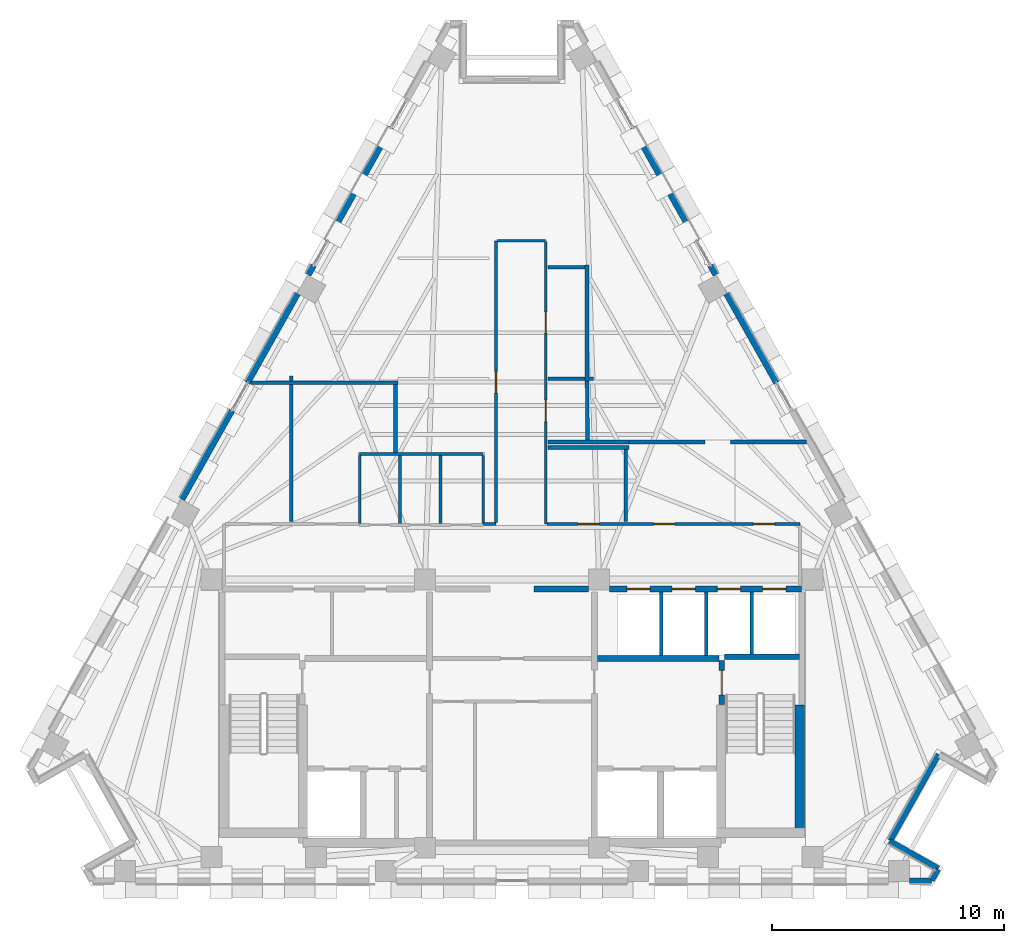
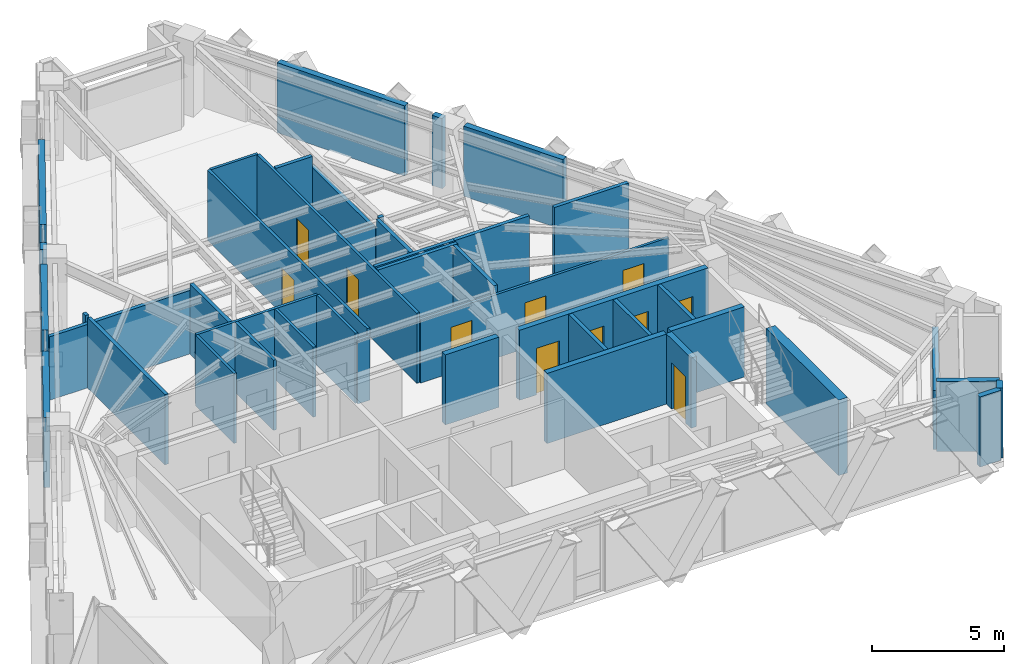
# One storey, part 8 of 12: 44 walls, 11 doors, 11 openings.
"""IFC4 building model written with IfcOpenShell, lengths in metres."""

from ifc_helpers import new_model, si_unit, direction, frame, frame_2d, origin, place, context, subcontext, project, spatial, rectangle, extrude, material, layer, layer_set, type_object, element, fill, save


model = new_model("IFC4")

# Units and contexts
model_context = context("Model", 3, precision=1e-05, world=origin(), true_north=direction((0.0, 1.0)))
body_context = subcontext(model_context, "Body", "Model", "MODEL_VIEW")
ifc_project = project(units=[si_unit("LENGTHUNIT", "METRE"), si_unit("AREAUNIT", "SQUARE_METRE"), si_unit("VOLUMEUNIT", "CUBIC_METRE"), si_unit("PLANEANGLEUNIT", "RADIAN"), si_unit("MASSUNIT", "GRAM", prefix="KILO")], contexts=[model_context])

# Site, building, storey
site_placement = place(None, origin())
site = spatial("IfcSite", under=ifc_project, at=site_placement, CompositionType="ELEMENT")
building_placement = place(site_placement, origin())
building = spatial("IfcBuilding", under=site, at=building_placement, Name="Quenlor Broadcast Tower", CompositionType="ELEMENT")
storey_placement = place(building_placement, frame((0.0, 0.0, 221.89990234375)))
storey = spatial("IfcBuildingStorey", under=building, at=storey_placement, Name="L61", CompositionType="ELEMENT", Elevation=221.89990234375)

# Wall
ifc_material_1 = material(Name="Concrete C50/60", Category="concrete")
ifc_layer_1 = layer(ifc_material_1, 0.39990234375)
ifc_layer_set_1 = layer_set([ifc_layer_1], Name="Core Concrete C50/60 Shear Wall 400")
wall_type_1 = type_object("IfcWallType", Name="Core Concrete C50/60 Shear Wall 400", PredefinedType="SHEAR", material=ifc_layer_set_1)
wall_1_placement = place(storey_placement, frame((12.39990234375, -15.699951171875, 0.0), z_axis=(0.0, 0.0, 1.0), x_axis=(0.0, 1.0, 0.0)))
element("IfcWall", 1, at=wall_1_placement, inside=storey, type_object=wall_type_1, Name="L61 Core Shear Wall WF-E", PredefinedType="SHEAR", context=body_context, shape_type="SweptSolid", body=[
    extrude(rectangle(XDim=5.5, YDim=0.39990234375, at=frame_2d((2.75, 0.0))), origin(), (0.0, 0.0, 1.0), 3.5),
])

# Wall, opening, door
ifc_material_2 = material(Name="Concrete C40/50", Category="concrete")
ifc_layer_2 = layer(ifc_material_2, 0.25)
ifc_layer_set_2 = layer_set([ifc_layer_2], Name="Fire Rated Concrete C40/50 Core Wall 250")
wall_type_2 = type_object("IfcWallType", Name="Fire Rated Concrete C40/50 Core Wall 250", PredefinedType="PARTITIONING", material=ifc_layer_set_2)
wall_2_placement = place(storey_placement, frame((9.0400390625, -10.179931640625, 0.0), z_axis=(0.0, 0.0, 1.0), x_axis=(0.0, 1.0, 0.0)))
wall_2 = element("IfcWall", 2, at=wall_2_placement, inside=storey, type_object=wall_type_2, Name="L61 Interior Wall CW-ST2-DR", PredefinedType="PARTITIONING", context=body_context, shape_type="SweptSolid", body=[
    extrude(rectangle(XDim=1.89990234375, YDim=0.25, at=frame_2d((0.949951171875, 0.0))), origin(), (0.0, 0.0, 1.0), 3.25),
])
opening_1_placement = place(wall_2_placement, frame((0.419921875, 0.0, 0.0)))
opening_1 = element("IfcOpeningElement", 3, at=opening_1_placement, cuts=wall_2, Name="Opening FD-1", PredefinedType="OPENING", context=body_context, shape_type="SweptSolid", body=[
    extrude(rectangle(XDim=1.050048828125, YDim=2.14990234375, at=frame_2d((0.52490234375, 1.074951171875))), frame((0.0, 0.135009765625, 0.0), z_axis=(0.0, -1.0, 0.0), x_axis=(1.0, 0.0, 0.0)), (0.0, 0.0, 1.0), 0.27001953125),
])
ifc_material_3 = material(Name="Fire Rated Steel Door Leaf", Category="steel")
door_type_1 = type_object("IfcDoorType", Name="Fire Isolated Stair Door 1050x2150", OperationType="NOTDEFINED", PredefinedType="DOOR", material=ifc_material_3)
door_1_placement = place(opening_1_placement, origin())
door_1 = element("IfcDoor", 4, at=door_1_placement, inside=storey, type_object=door_type_1, Name="L61 Door DR-ST2", OperationType="SINGLE_SWING_RIGHT", OverallHeight=2.14990234375, OverallWidth=1.050048828125, PredefinedType="DOOR", context=body_context, shape_type="SweptSolid", body=[
    extrude(rectangle(XDim=1.050048828125, YDim=2.14990234375, at=frame_2d((0.52490234375, 1.074951171875))), frame((0.0, 0.02490234375, 0.0), z_axis=(0.0, -1.0, 0.0), x_axis=(1.0, 0.0, 0.0)), (0.0, 0.0, 1.0), 0.050048828125),
])
fill(opening_1, door_1)

# Walls
wall_3_placement = place(storey_placement, frame((9.159912109375, -8.1201171875, 0.0), z_axis=(0.0, 0.0, 1.0), x_axis=(1.0, 0.0, 0.0)))
element("IfcWall", 5, at=wall_3_placement, inside=storey, type_object=wall_type_2, Name="L61 Interior Wall CW-ST2-N", PredefinedType="PARTITIONING", context=body_context, shape_type="SweptSolid", body=[
    extrude(rectangle(XDim=3.219970703125, YDim=0.25, at=frame_2d((1.60986328125, 0.0))), origin(), (0.0, 0.0, 1.0), 3.25),
])
wall_4_placement = place(storey_placement, frame((3.679931640625, -8.199951171875, 0.0), z_axis=(0.0, 0.0, 1.0), x_axis=(1.0, 0.0, 0.0)))
element("IfcWall", 6, at=wall_4_placement, inside=storey, type_object=wall_type_2, Name="L61 Interior Wall CW-FFE-N", PredefinedType="PARTITIONING", context=body_context, shape_type="SweptSolid", body=[
    extrude(rectangle(XDim=5.239990234375, YDim=0.25, at=frame_2d((2.6201171875, 0.0))), origin(), (0.0, 0.0, 1.0), 3.25),
])

# Wall, openings, doors
wall_5_placement = place(storey_placement, frame((4.201904296875, -5.199951171875, 0.0), z_axis=(0.0, 0.0, 1.0), x_axis=(1.0, 0.0, 0.0)))
wall_5 = element("IfcWall", 7, at=wall_5_placement, inside=storey, type_object=wall_type_2, Name="L61 Interior Wall CW-N-E", PredefinedType="PARTITIONING", context=body_context, shape_type="SweptSolid", body=[
    extrude(rectangle(XDim=8.278076171875, YDim=0.25, at=frame_2d((4.13916015625, 0.0))), origin(), (0.0, 0.0, 1.0), 3.25),
])
opening_2_placement = place(wall_5_placement, frame((0.748046875, 0.0, 0.0)))
opening_2 = element("IfcOpeningElement", 8, at=opening_2_placement, cuts=wall_5, Name="Opening LD-PL-H1", PredefinedType="OPENING", context=body_context, shape_type="SweptSolid", body=[
    extrude(rectangle(XDim=1.0, YDim=2.14990234375, at=frame_2d((0.5, 1.074951171875))), frame((0.0, 0.135009765625, 0.0), z_axis=(0.0, -1.0, 0.0), x_axis=(1.0, 0.0, 0.0)), (0.0, 0.0, 1.0), 0.27001953125),
])
opening_3_placement = place(wall_5_placement, frame((2.697998046875, 0.0, 0.0)))
opening_3 = element("IfcOpeningElement", 9, at=opening_3_placement, cuts=wall_5, Name="Opening LD-PL-H2", PredefinedType="OPENING", context=body_context, shape_type="SweptSolid", body=[
    extrude(rectangle(XDim=1.0, YDim=2.14990234375, at=frame_2d((0.5, 1.074951171875))), frame((0.0, 0.135009765625, 0.0), z_axis=(0.0, -1.0, 0.0), x_axis=(1.0, 0.0, 0.0)), (0.0, 0.0, 1.0), 0.27001953125),
])
opening_4_placement = place(wall_5_placement, frame((4.64794921875, 0.0, 0.0)))
opening_4 = element("IfcOpeningElement", 10, at=opening_4_placement, cuts=wall_5, Name="Opening LD-PL-H3", PredefinedType="OPENING", context=body_context, shape_type="SweptSolid", body=[
    extrude(rectangle(XDim=1.0, YDim=2.14990234375, at=frame_2d((0.5, 1.074951171875))), frame((0.0, 0.135009765625, 0.0), z_axis=(0.0, -1.0, 0.0), x_axis=(1.0, 0.0, 0.0)), (0.0, 0.0, 1.0), 0.27001953125),
])
opening_5_placement = place(wall_5_placement, frame((6.597900390625, 0.0, 0.0)))
opening_5 = element("IfcOpeningElement", 11, at=opening_5_placement, cuts=wall_5, Name="Opening LD-PL-H4", PredefinedType="OPENING", context=body_context, shape_type="SweptSolid", body=[
    extrude(rectangle(XDim=1.0, YDim=2.14990234375, at=frame_2d((0.5, 1.074951171875))), frame((0.0, 0.135009765625, 0.0), z_axis=(0.0, -1.0, 0.0), x_axis=(1.0, 0.0, 0.0)), (0.0, 0.0, 1.0), 0.27001953125),
])
ifc_material_4 = material(Name="Brushed Stainless Steel", Category="steel")
door_type_2 = type_object("IfcDoorType", Name="Passenger Lift Sliding Landing Door 1000x2150", OperationType="NOTDEFINED", PredefinedType="DOOR", material=ifc_material_4)
door_2_placement = place(opening_2_placement, origin())
door_2 = element("IfcDoor", 12, at=door_2_placement, inside=storey, type_object=door_type_2, Name="L61 Door LD-PL-H1", OperationType="SLIDING_TO_RIGHT", OverallHeight=2.14990234375, OverallWidth=1.0, PredefinedType="DOOR", context=body_context, shape_type="SweptSolid", body=[
    extrude(rectangle(XDim=1.0, YDim=2.14990234375, at=frame_2d((0.5, 1.074951171875))), frame((0.0, 0.02490234375, 0.0), z_axis=(0.0, -1.0, 0.0), x_axis=(1.0, 0.0, 0.0)), (0.0, 0.0, 1.0), 0.050048828125),
])
fill(opening_2, door_2)
door_3_placement = place(opening_3_placement, origin())
door_3 = element("IfcDoor", 13, at=door_3_placement, inside=storey, type_object=door_type_2, Name="L61 Door LD-PL-H2", OperationType="SLIDING_TO_RIGHT", OverallHeight=2.14990234375, OverallWidth=1.0, PredefinedType="DOOR", context=body_context, shape_type="SweptSolid", body=[
    extrude(rectangle(XDim=1.0, YDim=2.14990234375, at=frame_2d((0.5, 1.074951171875))), frame((0.0, 0.02490234375, 0.0), z_axis=(0.0, -1.0, 0.0), x_axis=(1.0, 0.0, 0.0)), (0.0, 0.0, 1.0), 0.050048828125),
])
fill(opening_3, door_3)
door_4_placement = place(opening_4_placement, origin())
door_4 = element("IfcDoor", 14, at=door_4_placement, inside=storey, type_object=door_type_2, Name="L61 Door LD-PL-H3", OperationType="SLIDING_TO_RIGHT", OverallHeight=2.14990234375, OverallWidth=1.0, PredefinedType="DOOR", context=body_context, shape_type="SweptSolid", body=[
    extrude(rectangle(XDim=1.0, YDim=2.14990234375, at=frame_2d((0.5, 1.074951171875))), frame((0.0, 0.02490234375, 0.0), z_axis=(0.0, -1.0, 0.0), x_axis=(1.0, 0.0, 0.0)), (0.0, 0.0, 1.0), 0.050048828125),
])
fill(opening_4, door_4)
door_5_placement = place(opening_5_placement, origin())
door_5 = element("IfcDoor", 15, at=door_5_placement, inside=storey, type_object=door_type_2, Name="L61 Door LD-PL-H4", OperationType="SLIDING_TO_RIGHT", OverallHeight=2.14990234375, OverallWidth=1.0, PredefinedType="DOOR", context=body_context, shape_type="SweptSolid", body=[
    extrude(rectangle(XDim=1.0, YDim=2.14990234375, at=frame_2d((0.5, 1.074951171875))), frame((0.0, 0.02490234375, 0.0), z_axis=(0.0, -1.0, 0.0), x_axis=(1.0, 0.0, 0.0)), (0.0, 0.0, 1.0), 0.050048828125),
])
fill(opening_5, door_5)

# Walls
wall_6_placement = place(storey_placement, frame((0.949951171875, -5.199951171875, 0.0), z_axis=(0.0, 0.0, 1.0), x_axis=(1.0, 0.0, 0.0)))
element("IfcWall", 16, at=wall_6_placement, inside=storey, type_object=wall_type_2, Name="L61 Interior Wall CW-N-M2", PredefinedType="PARTITIONING", context=body_context, shape_type="SweptSolid", body=[
    extrude(rectangle(XDim=2.34814453125, YDim=0.25, at=frame_2d((1.174072265625, 0.0))), origin(), (0.0, 0.0, 1.0), 3.25),
])
ifc_material_5 = material(Name="Gypsum Fireboard Partition", Category="other")
ifc_layer_3 = layer(ifc_material_5, 0.159912109375)
ifc_layer_set_3 = layer_set([ifc_layer_3], Name="Fire Rated Shaft and Corridor Partition 160")
wall_type_3 = type_object("IfcWallType", Name="Fire Rated Shaft and Corridor Partition 160", PredefinedType="PARTITIONING", material=ifc_layer_set_3)
for number, where, z_axis, x_axis, name in (
    (17, (6.425048828125, -8.072998046875, 0.0), (0.0, 0.0, 1.0), (0.0, 1.0, 0.0), "L61 Interior Wall CW-PLH-D1"),
    (18, (8.375, -8.072998046875, 0.0), (0.0, 0.0, 1.0), (0.0, 1.0, 0.0), "L61 Interior Wall CW-PLH-D2"),
):
    element("IfcWall", number, at=place(storey_placement, frame(where, z_axis=z_axis, x_axis=x_axis)), inside=storey, type_object=wall_type_3, Name=name, PredefinedType="PARTITIONING", context=body_context, shape_type="SweptSolid", body=[
        extrude(rectangle(XDim=2.73291015625, YDim=0.159912109375, at=frame_2d((1.366455078125, 0.0))), origin(), (0.0, 0.0, 1.0), 3.25),
    ])
wall_7_placement = place(storey_placement, frame((10.324951171875, -7.992919921875, 0.0), z_axis=(0.0, 0.0, 1.0), x_axis=(0.0, 1.0, 0.0)))
element("IfcWall", 19, at=wall_7_placement, inside=storey, type_object=wall_type_3, Name="L61 Interior Wall CW-PLH-D3", PredefinedType="PARTITIONING", context=body_context, shape_type="SweptSolid", body=[
    extrude(rectangle(XDim=2.65283203125, YDim=0.159912109375, at=frame_2d((1.326416015625, 0.0))), origin(), (0.0, 0.0, 1.0), 3.25),
])
wall_8_placement = place(storey_placement, frame((3.233642578125, 3.760009765625, 0.0), z_axis=(0.0, 0.0, 1.0), x_axis=(0.0, 1.0, 0.0)))
element("IfcWall", 20, at=wall_8_placement, inside=storey, type_object=wall_type_3, Name="L61 Interior Wall PW-DV-01", PredefinedType="PARTITIONING", context=body_context, shape_type="SweptSolid", body=[
    extrude(rectangle(XDim=5.0, YDim=0.159912109375, at=frame_2d((2.5, 0.0))), origin(), (0.0, 0.0, 1.0), 2.721923828125),
])
wall_9_placement = place(storey_placement, frame((3.151611328125, 8.659912109375, 0.0), z_axis=(0.0, 0.0, 1.0), x_axis=(-1.0, 0.0, 0.0)))
element("IfcWall", 21, at=wall_9_placement, inside=storey, type_object=wall_type_3, Name="L61 Interior Wall PW-DV-02", PredefinedType="PARTITIONING", context=body_context, shape_type="SweptSolid", body=[
    extrude(rectangle(XDim=1.591552734375, YDim=0.159912109375, at=frame_2d((0.7958984375, 0.0))), origin(), (0.0, 0.0, 1.0), 3.25),
])
wall_10_placement = place(storey_placement, frame((5.044677734375, 1.1298828125, 0.0), z_axis=(0.0, 0.0, 1.0), x_axis=(-0.999999801196, 0.000630561074, 0.0)))
element("IfcWall", 22, at=wall_10_placement, inside=storey, type_object=wall_type_3, Name="L61 Interior Wall PW-DV-03", PredefinedType="PARTITIONING", context=body_context, shape_type="SweptSolid", body=[
    extrude(rectangle(XDim=3.484619140625, YDim=0.159912109375, at=frame_2d((1.7421875, 0.0))), origin(), (0.0, 0.0, 1.0), 3.25),
])
wall_11_placement = place(storey_placement, frame((3.25732421875, 1.213134765625, 0.0), z_axis=(0.0, 0.0, 1.0), x_axis=(-0.00959280495, 0.999953987988, 0.0)))
element("IfcWall", 23, at=wall_11_placement, inside=storey, type_object=wall_type_3, Name="L61 Interior Wall PW-DV-04", PredefinedType="PARTITIONING", context=body_context, shape_type="SweptSolid", body=[
    extrude(rectangle(XDim=2.544921875, YDim=0.159912109375, at=frame_2d((1.2724609375, 0.0))), origin(), (0.0, 0.0, 1.0), 3.25),
])
wall_12_placement = place(storey_placement, frame((-4.919921875, 3.68359375, 0.0), z_axis=(0.0, 0.0, 1.0), x_axis=(-0.999999702129, -0.000771842932, 0.0)))
element("IfcWall", 24, at=wall_12_placement, inside=storey, type_object=wall_type_3, Name="L61 Interior Wall PW-DV-05", PredefinedType="PARTITIONING", context=body_context, shape_type="SweptSolid", body=[
    extrude(rectangle(XDim=6.326171875, YDim=0.159912109375, at=frame_2d((3.1630859375, 0.0))), origin(), (0.0, 0.0, 1.0), 2.94287109375),
])
wall_13_placement = place(storey_placement, frame((-5.02001953125, 0.669921875, 0.0), z_axis=(0.0, 0.0, 1.0), x_axis=(0.0, 1.0, 0.0)))
element("IfcWall", 25, at=wall_13_placement, inside=storey, type_object=wall_type_3, Name="L61 Interior Wall PW-DV-06", PredefinedType="PARTITIONING", context=body_context, shape_type="SweptSolid", body=[
    extrude(rectangle(XDim=2.931640625, YDim=0.159912109375, at=frame_2d((1.4658203125, 0.0))), origin(), (0.0, 0.0, 1.0), 3.25),
])
wall_14_placement = place(storey_placement, frame((8.320068359375, 1.1337890625, 0.0), z_axis=(0.0, 0.0, 1.0), x_axis=(-0.999999374216, -0.001118734383, 0.0)))
element("IfcWall", 26, at=wall_14_placement, inside=storey, type_object=wall_type_3, Name="L61 Interior Wall PW-DV-07", PredefinedType="PARTITIONING", context=body_context, shape_type="SweptSolid", body=[
    extrude(rectangle(XDim=3.2734375, YDim=0.159912109375, at=frame_2d((1.63671875, 0.0))), origin(), (0.0, 0.0, 1.0), 3.25),
])
wall_15_placement = place(storey_placement, frame((12.6796875, 1.1298828125, 0.0), z_axis=(0.0, 0.0, 1.0), x_axis=(-1.0, 0.0, 0.0)))
element("IfcWall", 27, at=wall_15_placement, inside=storey, type_object=wall_type_3, Name="L61 Interior Wall PW-DV-09", PredefinedType="PARTITIONING", context=body_context, shape_type="SweptSolid", body=[
    extrude(rectangle(XDim=3.26171875, YDim=0.159912109375, at=frame_2d((1.630859375, 0.0))), origin(), (0.0, 0.0, 1.0), 3.25),
])
wall_16_placement = place(storey_placement, frame((3.52001953125, 3.860107421875, 0.0), z_axis=(0.0, 0.0, 1.0), x_axis=(-1.0, 0.0, 0.0)))
element("IfcWall", 28, at=wall_16_placement, inside=storey, type_object=wall_type_3, Name="L61 Interior Wall PW-DV-10", PredefinedType="PARTITIONING", context=body_context, shape_type="SweptSolid", body=[
    extrude(rectangle(XDim=0.204345703125, YDim=0.159912109375, at=frame_2d((0.10205078125, 0.0))), origin(), (0.0, 0.0, 1.0), 3.25),
])
wall_17_placement = place(storey_placement, frame((3.151611328125, 3.860107421875, 0.0), z_axis=(0.0, 0.0, 1.0), x_axis=(-1.0, 0.0, 0.0)))
element("IfcWall", 29, at=wall_17_placement, inside=storey, type_object=wall_type_3, Name="L61 Interior Wall PW-DV-10S2", PredefinedType="PARTITIONING", context=body_context, shape_type="SweptSolid", body=[
    extrude(rectangle(XDim=1.591552734375, YDim=0.159912109375, at=frame_2d((0.7958984375, 0.0))), origin(), (0.0, 0.0, 1.0), 2.94287109375),
])
wall_18_placement = place(storey_placement, frame((5.044677734375, 0.894775390625, 0.0), z_axis=(0.0, 0.0, 1.0), x_axis=(-1.0, 0.0, 0.0)))
element("IfcWall", 30, at=wall_18_placement, inside=storey, type_object=wall_type_3, Name="L61 Interior Wall PW-DV-11", PredefinedType="PARTITIONING", context=body_context, shape_type="SweptSolid", body=[
    extrude(rectangle(XDim=3.484619140625, YDim=0.159912109375, at=frame_2d((1.7421875, 0.0))), origin(), (0.0, 0.0, 1.0), 3.25),
])
wall_19_placement = place(storey_placement, frame((-9.510009765625, -2.2900390625, 0.0), z_axis=(0.0, 0.0, 1.0), x_axis=(0.0, 1.0, 0.0)))
element("IfcWall", 31, at=wall_19_placement, inside=storey, type_object=wall_type_3, Name="L61 Interior Wall PW-DV-12", PredefinedType="PARTITIONING", context=body_context, shape_type="SweptSolid", body=[
    extrude(rectangle(XDim=5.887939453125, YDim=0.159912109375, at=frame_2d((2.94384765625, 0.0))), origin(), (0.0, 0.0, 1.0), 3.25),
])
wall_20_placement = place(storey_placement, frame((-9.510009765625, 3.761962890625, 0.0), z_axis=(0.0, 0.0, 1.0), x_axis=(0.0, 1.0, 0.0)))
element("IfcWall", 32, at=wall_20_placement, inside=storey, type_object=wall_type_3, Name="L61 Interior Wall PW-DV-12S2", PredefinedType="PARTITIONING", context=body_context, shape_type="SweptSolid", body=[
    extrude(rectangle(XDim=0.2080078125, YDim=0.159912109375, at=frame_2d((0.10400390625, 0.0))), origin(), (0.0, 0.0, 1.0), 3.25),
])
wall_21_placement = place(storey_placement, frame((4.90478515625, -2.2900390625, 0.0), z_axis=(0.0, 0.0, 1.0), x_axis=(0.0, 1.0, 0.0)))
element("IfcWall", 33, at=wall_21_placement, inside=storey, type_object=wall_type_3, Name="L61 Interior Wall PW-DV-13", PredefinedType="PARTITIONING", context=body_context, shape_type="SweptSolid", body=[
    extrude(rectangle(XDim=3.102783203125, YDim=0.159912109375, at=frame_2d((1.55126953125, 0.0))), origin(), (0.0, 0.0, 1.0), 3.25),
])
ifc_material_6 = material(Name="Gypsum Plasterboard Partition", Category="other")
ifc_layer_4 = layer(ifc_material_6, 0.1201171875)
ifc_layer_set_4 = layer_set([ifc_layer_4], Name="Standard Office Partition 120")
wall_type_4 = type_object("IfcWallType", Name="Standard Office Partition 120", PredefinedType="PARTITIONING", material=ifc_layer_set_4)
wall_22_placement = place(storey_placement, frame((-6.56005859375, 0.610107421875, 0.0), z_axis=(0.0, 0.0, 1.0), x_axis=(1.0, 0.0, 0.0)))
element("IfcWall", 34, at=wall_22_placement, inside=storey, type_object=wall_type_4, Name="L61 Interior Wall PW-WC-N", PredefinedType="PARTITIONING", context=body_context, shape_type="SweptSolid", body=[
    extrude(rectangle(XDim=5.320068359375, YDim=0.1201171875, at=frame_2d((2.66015625, 0.0))), origin(), (0.0, 0.0, 1.0), 3.25),
])
for number, where, z_axis, x_axis, name in (
    (35, (-6.56005859375, -2.3779296875, 0.0), (0.0, 0.0, 1.0), (0.0, 1.0, 0.0), "L61 Interior Wall PW-WC-W"),
    (36, (-4.820068359375, -2.3779296875, 0.0), (0.0, 0.0, 1.0), (0.0, 1.0, 0.0), "L61 Interior Wall PW-WC-M1"),
    (37, (-3.080078125, -2.3779296875, 0.0), (0.0, 0.0, 1.0), (0.0, 1.0, 0.0), "L61 Interior Wall PW-WC-M2"),
    (38, (-1.239990234375, -2.3779296875, 0.0), (0.0, 0.0, 1.0), (0.0, 1.0, 0.0), "L61 Interior Wall PW-WC-E"),
):
    element("IfcWall", number, at=place(storey_placement, frame(where, z_axis=z_axis, x_axis=x_axis)), inside=storey, type_object=wall_type_4, Name=name, PredefinedType="PARTITIONING", context=body_context, shape_type="SweptSolid", body=[
        extrude(rectangle(XDim=2.926025390625, YDim=0.1201171875, at=frame_2d((1.462890625, 0.0))), origin(), (0.0, 0.0, 1.0), 3.25),
    ])
wall_23_placement = place(storey_placement, frame((-1.238037109375, -2.39990234375, 0.0), z_axis=(0.0, 0.0, 1.0), x_axis=(1.0, 0.0, 0.0)))
element("IfcWall", 39, at=wall_23_placement, inside=storey, type_object=wall_type_4, Name="L61 Interior Wall PW-CR-02S2", PredefinedType="PARTITIONING", context=body_context, shape_type="SweptSolid", body=[
    extrude(rectangle(XDim=0.548095703125, YDim=0.1201171875, at=frame_2d((0.27392578125, 0.0))), origin(), (0.0, 0.0, 1.0), 2.94287109375),
])

# Wall, opening, door
wall_24_placement = place(storey_placement, frame((-0.68994140625, -2.337890625, 0.0), z_axis=(0.0, 0.0, 1.0), x_axis=(0.0, 1.0, 0.0)))
wall_24 = element("IfcWall", 40, at=wall_24_placement, inside=storey, type_object=wall_type_4, Name="L61 Interior Wall PW-CR-03", PredefinedType="PARTITIONING", context=body_context, shape_type="SweptSolid", body=[
    extrude(rectangle(XDim=12.137939453125, YDim=0.1201171875, at=frame_2d((6.06884765625, 0.0))), origin(), (0.0, 0.0, 1.0), 3.25),
])
opening_6_placement = place(wall_24_placement, frame((5.577880859375, 0.0, 0.0)))
opening_6 = element("IfcOpeningElement", 41, at=opening_6_placement, cuts=wall_24, Name="Opening ID-1", PredefinedType="OPENING", context=body_context, shape_type="SweptSolid", body=[
    extrude(rectangle(XDim=0.919921875, YDim=2.1201171875, at=frame_2d((0.4599609375, 1.06005859375))), frame((0.0, 0.070068359375, 0.0), z_axis=(0.0, -1.0, 0.0), x_axis=(1.0, 0.0, 0.0)), (0.0, 0.0, 1.0), 0.14013671875),
])
ifc_material_7 = material(Name="Solid Core Timber Oak", Category="wood")
door_type_3 = type_object("IfcDoorType", Name="Single Leaf Timber Office Door 920x2120", OperationType="NOTDEFINED", PredefinedType="DOOR", material=ifc_material_7)
door_6_placement = place(opening_6_placement, origin())
door_6 = element("IfcDoor", 42, at=door_6_placement, inside=storey, type_object=door_type_3, Name="L61 Door DR-RM01", OperationType="SINGLE_SWING_LEFT", OverallHeight=2.1201171875, OverallWidth=0.919921875, PredefinedType="DOOR", context=body_context, shape_type="SweptSolid", body=[
    extrude(rectangle(XDim=0.919921875, YDim=2.1201171875, at=frame_2d((0.4599609375, 1.06005859375))), frame((0.0, 0.02490234375, 0.0), z_axis=(0.0, -1.0, 0.0), x_axis=(1.0, 0.0, 0.0)), (0.0, 0.0, 1.0), 0.050048828125),
])
fill(opening_6, door_6)

# Wall
wall_25_placement = place(storey_placement, frame((-0.6279296875, 9.800048828125, 0.0), z_axis=(0.0, 0.0, 1.0), x_axis=(1.0, 0.0, 0.0)))
element("IfcWall", 43, at=wall_25_placement, inside=storey, type_object=wall_type_4, Name="L61 Interior Wall PW-CR-04", PredefinedType="PARTITIONING", context=body_context, shape_type="SweptSolid", body=[
    extrude(rectangle(XDim=2.077880859375, YDim=0.1201171875, at=frame_2d((1.0390625, 0.0))), origin(), (0.0, 0.0, 1.0), 3.25),
])

# Wall, openings, doors
wall_26_placement = place(storey_placement, frame((1.449951171875, 9.738037109375, 0.0), z_axis=(0.0, 0.0, 1.0), x_axis=(0.0, -1.0, 0.0)))
wall_26 = element("IfcWall", 44, at=wall_26_placement, inside=storey, type_object=wall_type_4, Name="L61 Interior Wall PW-CR-05", PredefinedType="PARTITIONING", context=body_context, shape_type="SweptSolid", body=[
    extrude(rectangle(XDim=12.137939453125, YDim=0.1201171875, at=frame_2d((6.06884765625, 0.0))), origin(), (0.0, 0.0, 1.0), 3.25),
])
opening_7_placement = place(wall_26_placement, frame((2.998046875, 0.0, 0.0)))
opening_7 = element("IfcOpeningElement", 45, at=opening_7_placement, cuts=wall_26, Name="Opening ID-1", PredefinedType="OPENING", context=body_context, shape_type="SweptSolid", body=[
    extrude(rectangle(XDim=0.919921875, YDim=2.1201171875, at=frame_2d((0.4599609375, 1.06005859375))), frame((0.0, 0.070068359375, 0.0), z_axis=(0.0, -1.0, 0.0), x_axis=(1.0, 0.0, 0.0)), (0.0, 0.0, 1.0), 0.14013671875),
])
opening_8_placement = place(wall_26_placement, frame((6.805908203125, 0.0, 0.0)))
opening_8 = element("IfcOpeningElement", 46, at=opening_8_placement, cuts=wall_26, Name="Opening ID-1", PredefinedType="OPENING", context=body_context, shape_type="SweptSolid", body=[
    extrude(rectangle(XDim=0.919921875, YDim=2.1201171875, at=frame_2d((0.4599609375, 1.06005859375))), frame((0.0, 0.070068359375, 0.0), z_axis=(0.0, -1.0, 0.0), x_axis=(1.0, 0.0, 0.0)), (0.0, 0.0, 1.0), 0.14013671875),
])
door_7_placement = place(opening_7_placement, origin())
door_7 = element("IfcDoor", 47, at=door_7_placement, inside=storey, type_object=door_type_3, Name="L61 Door DR-RM02", OperationType="SINGLE_SWING_RIGHT", OverallHeight=2.1201171875, OverallWidth=0.919921875, PredefinedType="DOOR", context=body_context, shape_type="SweptSolid", body=[
    extrude(rectangle(XDim=0.919921875, YDim=2.1201171875, at=frame_2d((0.4599609375, 1.06005859375))), frame((0.0, 0.02490234375, 0.0), z_axis=(0.0, -1.0, 0.0), x_axis=(1.0, 0.0, 0.0)), (0.0, 0.0, 1.0), 0.050048828125),
])
fill(opening_7, door_7)
door_8_placement = place(opening_8_placement, origin())
door_8 = element("IfcDoor", 48, at=door_8_placement, inside=storey, type_object=door_type_3, Name="L61 Door DR-RM03", OperationType="SINGLE_SWING_LEFT", OverallHeight=2.1201171875, OverallWidth=0.919921875, PredefinedType="DOOR", context=body_context, shape_type="SweptSolid", body=[
    extrude(rectangle(XDim=0.919921875, YDim=2.1201171875, at=frame_2d((0.4599609375, 1.06005859375))), frame((0.0, 0.02490234375, 0.0), z_axis=(0.0, -1.0, 0.0), x_axis=(1.0, 0.0, 0.0)), (0.0, 0.0, 1.0), 0.050048828125),
])
fill(opening_8, door_8)

wall_27_placement = place(storey_placement, frame((1.511962890625, -2.39990234375, 0.0), z_axis=(0.0, 0.0, 1.0), x_axis=(1.0, 0.0, 0.0)))
wall_27 = element("IfcWall", 49, at=wall_27_placement, inside=storey, type_object=wall_type_4, Name="L61 Interior Wall PW-CR-06", PredefinedType="PARTITIONING", context=body_context, shape_type="SweptSolid", body=[
    extrude(rectangle(XDim=10.89794921875, YDim=0.1201171875, at=frame_2d((5.448974609375, 0.0))), origin(), (0.0, 0.0, 1.0), 2.94287109375),
])
opening_9_placement = place(wall_27_placement, frame((4.590087890625, 0.0, 0.0)))
opening_9 = element("IfcOpeningElement", 50, at=opening_9_placement, cuts=wall_27, Name="Opening ID-1", PredefinedType="OPENING", context=body_context, shape_type="SweptSolid", body=[
    extrude(rectangle(XDim=0.919921875, YDim=2.1201171875, at=frame_2d((0.4599609375, 1.06005859375))), frame((0.0, 0.070068359375, 0.0), z_axis=(0.0, -1.0, 0.0), x_axis=(1.0, 0.0, 0.0)), (0.0, 0.0, 1.0), 0.14013671875),
])
opening_10_placement = place(wall_27_placement, frame((1.3349609375, 0.0, 0.0)))
opening_10 = element("IfcOpeningElement", 51, at=opening_10_placement, cuts=wall_27, Name="Opening ID-1", PredefinedType="OPENING", context=body_context, shape_type="SweptSolid", body=[
    extrude(rectangle(XDim=0.919921875, YDim=2.1201171875, at=frame_2d((0.4599609375, 1.06005859375))), frame((0.0, 0.070068359375, 0.0), z_axis=(0.0, -1.0, 0.0), x_axis=(1.0, 0.0, 0.0)), (0.0, 0.0, 1.0), 0.14013671875),
])
opening_11_placement = place(wall_27_placement, frame((8.883056640625, 0.0, 0.0)))
opening_11 = element("IfcOpeningElement", 52, at=opening_11_placement, cuts=wall_27, Name="Opening ID-1", PredefinedType="OPENING", context=body_context, shape_type="SweptSolid", body=[
    extrude(rectangle(XDim=0.919921875, YDim=2.1201171875, at=frame_2d((0.4599609375, 1.06005859375))), frame((0.0, 0.070068359375, 0.0), z_axis=(0.0, -1.0, 0.0), x_axis=(1.0, 0.0, 0.0)), (0.0, 0.0, 1.0), 0.14013671875),
])
door_9_placement = place(opening_9_placement, origin())
door_9 = element("IfcDoor", 53, at=door_9_placement, inside=storey, type_object=door_type_3, Name="L61 Door DR-RM05", OperationType="SINGLE_SWING_LEFT", OverallHeight=2.1201171875, OverallWidth=0.919921875, PredefinedType="DOOR", context=body_context, shape_type="SweptSolid", body=[
    extrude(rectangle(XDim=0.919921875, YDim=2.1201171875, at=frame_2d((0.4599609375, 1.06005859375))), frame((0.0, 0.02490234375, 0.0), z_axis=(0.0, -1.0, 0.0), x_axis=(1.0, 0.0, 0.0)), (0.0, 0.0, 1.0), 0.050048828125),
])
fill(opening_9, door_9)
door_10_placement = place(opening_10_placement, origin())
door_10 = element("IfcDoor", 54, at=door_10_placement, inside=storey, type_object=door_type_3, Name="L61 Door DR-RM06", OperationType="SINGLE_SWING_RIGHT", OverallHeight=2.1201171875, OverallWidth=0.919921875, PredefinedType="DOOR", context=body_context, shape_type="SweptSolid", body=[
    extrude(rectangle(XDim=0.919921875, YDim=2.1201171875, at=frame_2d((0.4599609375, 1.06005859375))), frame((0.0, 0.02490234375, 0.0), z_axis=(0.0, -1.0, 0.0), x_axis=(1.0, 0.0, 0.0)), (0.0, 0.0, 1.0), 0.050048828125),
])
fill(opening_10, door_10)
door_11_placement = place(opening_11_placement, origin())
door_11 = element("IfcDoor", 55, at=door_11_placement, inside=storey, type_object=door_type_3, Name="L61 Door DR-RM08", OperationType="SINGLE_SWING_RIGHT", OverallHeight=2.1201171875, OverallWidth=0.919921875, PredefinedType="DOOR", context=body_context, shape_type="SweptSolid", body=[
    extrude(rectangle(XDim=0.919921875, YDim=2.1201171875, at=frame_2d((0.4599609375, 1.06005859375))), frame((0.0, 0.02490234375, 0.0), z_axis=(0.0, -1.0, 0.0), x_axis=(1.0, 0.0, 0.0)), (0.0, 0.0, 1.0), 0.050048828125),
])
fill(opening_11, door_11)

# Walls
ifc_material_8 = material(Name="Precast concrete C40/50", Category="concrete")
ifc_layer_5 = layer(ifc_material_8, 0.239990234375)
ifc_layer_set_5 = layer_set([ifc_layer_5], Name="Terrace Threshold Precast Concrete C40/50 Wall 240")
wall_type_5 = type_object("IfcWallType", Name="Terrace Threshold Precast Concrete C40/50 Wall 240", PredefinedType="STANDARD", material=ifc_layer_set_5)
wall_28_placement = place(storey_placement, frame((18.06591796875, -17.77490234375, 0.0), z_axis=(0.0, 0.0, 1.0), x_axis=(-1.0, 0.0, 0.0)))
element("IfcWall", 56, at=wall_28_placement, inside=storey, type_object=wall_type_5, Name="L61 Exterior Wall L61-SHD-SS0", PredefinedType="STANDARD", context=body_context, shape_type="SweptSolid", body=[
    extrude(rectangle(XDim=0.93505859375, YDim=0.239990234375, at=frame_2d((0.467529296875, 0.0))), origin(), (0.0, 0.0, 1.0), 3.25),
])
wall_29_placement = place(storey_placement, frame((18.365966796875, -17.246826171875, 0.0), z_axis=(0.0, 0.0, 1.0), x_axis=(-0.871597270235, 0.490222600988, 0.0)))
element("IfcWall", 57, at=wall_29_placement, inside=storey, type_object=wall_type_5, Name="L61 Exterior Wall L61-CNR-01", PredefinedType="STANDARD", context=body_context, shape_type="SweptSolid", body=[
    extrude(rectangle(XDim=2.39990234375, YDim=0.239990234375, at=frame_2d((1.199951171875, 0.0))), origin(), (0.0, 0.0, 1.0), 3.25),
])
wall_30_placement = place(storey_placement, frame((16.293701171875, -16.035400390625, 0.0), z_axis=(0.0, 0.0, 1.0), x_axis=(0.49027487746, 0.871567865706, 0.0)))
element("IfcWall", 58, at=wall_30_placement, inside=storey, type_object=wall_type_5, Name="L61 Exterior Wall L61-CNR-02", PredefinedType="STANDARD", context=body_context, shape_type="SweptSolid", body=[
    extrude(rectangle(XDim=4.249755859375, YDim=0.239990234375, at=frame_2d((2.125, 0.0))), origin(), (0.0, 0.0, 1.0), 2.721923828125),
])
wall_31_placement = place(storey_placement, frame((18.081298828125, -17.752685546875, 0.0), z_axis=(0.0, 0.0, 1.0), x_axis=(0.490582915772, 0.871394516136, 0.0)))
element("IfcWall", 59, at=wall_31_placement, inside=storey, type_object=wall_type_5, Name="L61 Exterior Wall L61-CNR-18", PredefinedType="STANDARD", context=body_context, shape_type="SweptSolid", body=[
    extrude(rectangle(XDim=0.54052734375, YDim=0.239990234375, at=frame_2d((0.270263671875, 0.0))), origin(), (0.0, 0.0, 1.0), 3.25),
])
ifc_material_9 = material(Name="Precast concrete C40/50", Category="concrete")
ifc_layer_6 = layer(ifc_material_9, 0.260009765625)
ifc_layer_set_6 = layer_set([ifc_layer_6], Name="Terracotta Precast Concrete C40/50 Upper Wall 260")
wall_type_6 = type_object("IfcWallType", Name="Terracotta Precast Concrete C40/50 Upper Wall 260", PredefinedType="STANDARD", material=ifc_layer_set_6)
wall_32_placement = place(storey_placement, frame((5.2080078125, 14.682373046875, 0.0), z_axis=(0.0, 0.0, 1.0), x_axis=(0.490240608828, -0.871587141631, 0.0)))
element("IfcWall", 60, at=wall_32_placement, inside=storey, type_object=wall_type_6, Name="L61 Exterior Wall L61-NEA-SP2", PredefinedType="STANDARD", context=body_context, shape_type="SweptSolid", body=[
    extrude(rectangle(XDim=5.618408203125, YDim=0.260009765625, at=frame_2d((2.80908203125, 0.0))), origin(), (0.0, 0.0, 1.0), 3.25),
])
wall_33_placement = place(storey_placement, frame((8.551513671875, 8.73828125, 0.0), z_axis=(0.0, 0.0, 1.0), x_axis=(0.490412424957, -0.871490478116, 0.0)))
element("IfcWall", 61, at=wall_33_placement, inside=storey, type_object=wall_type_6, Name="L61 Exterior Wall L61-NEA-SP3", PredefinedType="STANDARD", context=body_context, shape_type="SweptSolid", body=[
    extrude(rectangle(XDim=0.4599609375, YDim=0.260009765625, at=frame_2d((0.22998046875, 0.0))), origin(), (0.0, 0.0, 1.0), 3.25),
])
wall_34_placement = place(storey_placement, frame((9.240478515625, 7.513671875, 0.0), z_axis=(0.0, 0.0, 1.0), x_axis=(0.490237464814, -0.871588910033, 0.0)))
element("IfcWall", 62, at=wall_34_placement, inside=storey, type_object=wall_type_6, Name="L61 Exterior Wall L61-NE-SP1", PredefinedType="STANDARD", context=body_context, shape_type="SweptSolid", body=[
    extrude(rectangle(XDim=4.387939453125, YDim=0.260009765625, at=frame_2d((2.19384765625, 0.0))), origin(), (0.0, 0.0, 1.0), 3.25),
])
wall_35_placement = place(storey_placement, frame((-8.777099609375, 8.33740234375, 0.0), z_axis=(0.0, 0.0, 1.0), x_axis=(0.490412424957, 0.871490478116, 0.0)))
element("IfcWall", 63, at=wall_35_placement, inside=storey, type_object=wall_type_6, Name="L61 Exterior Wall L61-NWC-SP1", PredefinedType="STANDARD", context=body_context, shape_type="SweptSolid", body=[
    extrude(rectangle(XDim=0.4599609375, YDim=0.260009765625, at=frame_2d((0.22998046875, 0.0))), origin(), (0.0, 0.0, 1.0), 3.25),
])
wall_36_placement = place(storey_placement, frame((-7.96240234375, 9.785400390625, 0.0), z_axis=(0.0, 0.0, 1.0), x_axis=(0.490240608828, 0.871587141631, 0.0)))
element("IfcWall", 64, at=wall_36_placement, inside=storey, type_object=wall_type_6, Name="L61 Exterior Wall L61-NWC-SP2", PredefinedType="STANDARD", context=body_context, shape_type="SweptSolid", body=[
    extrude(rectangle(XDim=5.618408203125, YDim=0.260009765625, at=frame_2d((2.80908203125, 0.0))), origin(), (0.0, 0.0, 1.0), 3.25),
])
wall_37_placement = place(storey_placement, frame((-14.21728515625, -1.334228515625, 0.0), z_axis=(0.0, 0.0, 1.0), x_axis=(0.490261239633, 0.871575537125, 0.0)))
element("IfcWall", 65, at=wall_37_placement, inside=storey, type_object=wall_type_6, Name="L61 Exterior Wall L61-NW-SP1", PredefinedType="STANDARD", context=body_context, shape_type="SweptSolid", body=[
    extrude(rectangle(XDim=4.3876953125, YDim=0.260009765625, at=frame_2d((2.19384765625, 0.0))), origin(), (0.0, 0.0, 1.0), 3.25),
])
wall_38_placement = place(storey_placement, frame((-11.3916015625, 3.689208984375, 0.0), z_axis=(0.0, 0.0, 1.0), x_axis=(0.490237464814, 0.871588910033, 0.0)))
element("IfcWall", 66, at=wall_38_placement, inside=storey, type_object=wall_type_6, Name="L61 Exterior Wall L61-NW-SP2", PredefinedType="STANDARD", context=body_context, shape_type="SweptSolid", body=[
    extrude(rectangle(XDim=4.387939453125, YDim=0.260009765625, at=frame_2d((2.19384765625, 0.0))), origin(), (0.0, 0.0, 1.0), 3.25),
])

save(model, "model.ifc")
